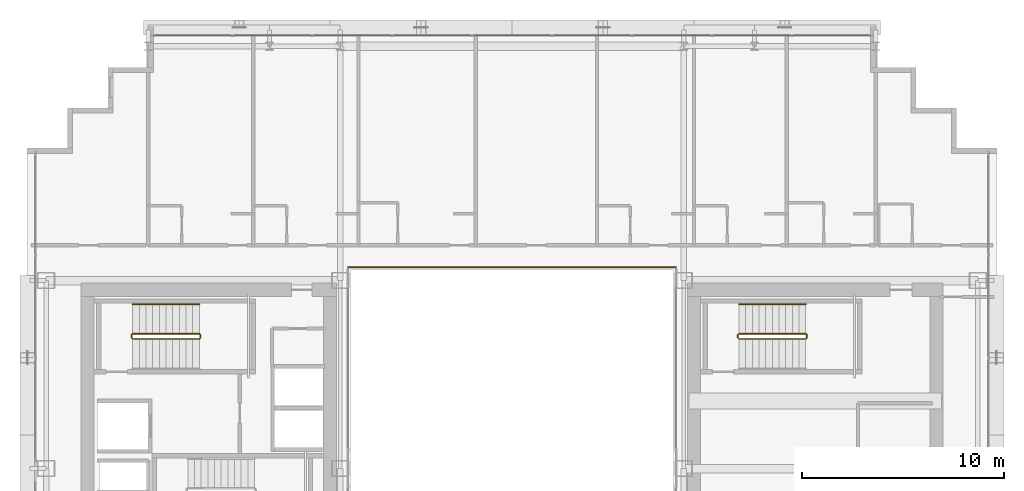
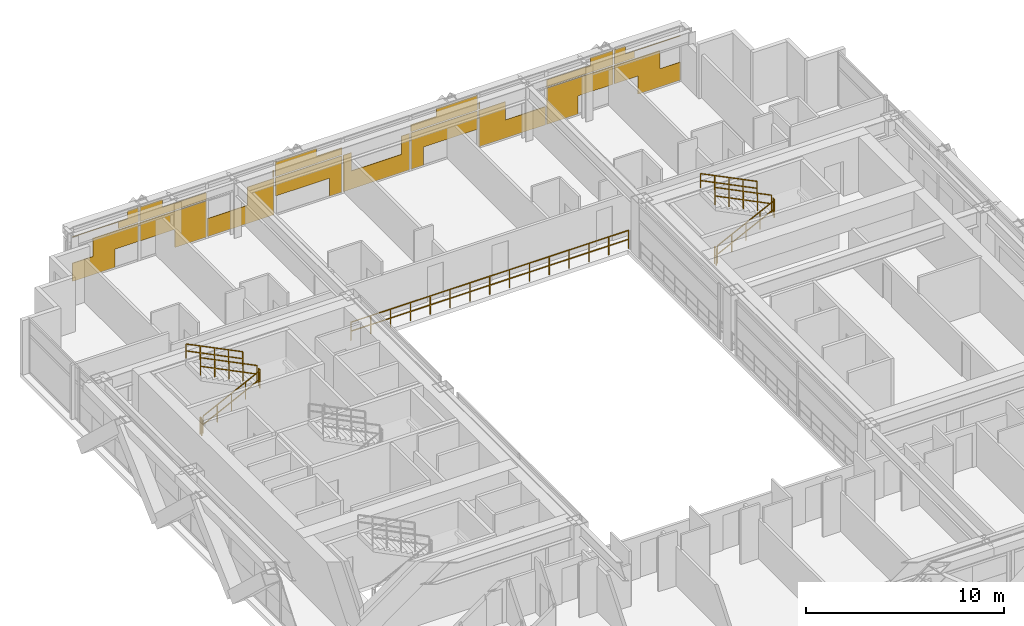
# One storey, part 39 of 39: 11 railings, 1 covering.
"""IFC4 building model written with IfcOpenShell, lengths in metres."""

from ifc_helpers import new_model, si_unit, direction, frame, origin, origin_2d, place, context, subcontext, project, spatial, rectangle, extrude, material, layer, layer_set, type_object, element, save


model = new_model("IFC4")

# Units and contexts
model_context = context("Model", 3, precision=1e-05, world=origin(), true_north=direction((0.0, 1.0)))
body_context = subcontext(model_context, "Body", "Model", "MODEL_VIEW")
ifc_project = project(units=[si_unit("LENGTHUNIT", "METRE"), si_unit("AREAUNIT", "SQUARE_METRE"), si_unit("VOLUMEUNIT", "CUBIC_METRE"), si_unit("PLANEANGLEUNIT", "RADIAN"), si_unit("MASSUNIT", "GRAM", prefix="KILO")], contexts=[model_context])

# Site, building, storey
site_placement = place(None, origin())
site = spatial("IfcSite", under=ifc_project, at=site_placement, CompositionType="ELEMENT")
building_placement = place(site_placement, origin())
building = spatial("IfcBuilding", under=site, at=building_placement, Name="Ocotamira Hotel", CompositionType="ELEMENT")
storey_placement = place(building_placement, frame((0.0, 0.0, 104.39990234375)))
storey = spatial("IfcBuildingStorey", under=building, at=storey_placement, Name="L25", CompositionType="ELEMENT", Elevation=104.39990234375)

# Covering
ifc_material_1 = material(Name="Insulated pale-metal aluminium spandrel panel", Category="aluminium")
ifc_layer = layer(ifc_material_1, 0.044921875)
ifc_layer_set = layer_set([ifc_layer], Name="Insulated pale-metal aluminium spandrel panel")
covering_type = type_object("IfcCoveringType", Name="COV-INFILL-45", PredefinedType="CLADDING", material=ifc_layer_set)
covering_placement = place(storey_placement, origin())
element("IfcCovering", 1, at=covering_placement, inside=storey, type_object=covering_type, Name="L25 Curtain Wall Infill CW-3 CW-L25-N", PredefinedType="CLADDING", context=body_context, shape_type="SweptSolid", body=[
    extrude(rectangle(XDim=2.464111328125, YDim=0.044921875, at=origin_2d()), frame((15.512451171875, 49.580078125, 0.07568359375), z_axis=(0.0, 0.0, 1.0), x_axis=(1.0, 0.0, 0.0)), (0.0, 0.0, 1.0), 1.117919921875),
    extrude(rectangle(XDim=2.650146484375, YDim=0.044921875, at=origin_2d()), frame((16.7900390625, 49.580078125, 1.1943359375), z_axis=(0.0, 0.0, 1.0), x_axis=(1.0, 0.0, 0.0)), (0.0, 0.0, 1.0), 1.117919921875),
    extrude(rectangle(XDim=3.834716796875, YDim=0.044921875, at=origin_2d()), frame((16.19775390625, 49.580078125, 2.78271484375), z_axis=(0.0, 0.0, 1.0), x_axis=(1.0, 0.0, 0.0)), (0.0, 0.0, 1.0), 0.0302734375),
    extrude(rectangle(XDim=1.157958984375, YDim=0.044921875, at=origin_2d()), frame((17.5361328125, 49.580078125, 2.38818359375), z_axis=(0.0, 0.0, 1.0), x_axis=(1.0, 0.0, 0.0)), (0.0, 0.0, 1.0), 0.3935546875),
    extrude(rectangle(XDim=0.625732421875, YDim=0.044921875, at=origin_2d()), frame((17.80224609375, 49.580078125, 2.81396484375), z_axis=(0.0, 0.0, 1.0), x_axis=(1.0, 0.0, 0.0)), (0.0, 0.0, 1.0), 0.470703125),
    extrude(rectangle(XDim=3.87451171875, YDim=0.044921875, at=origin_2d()), frame((20.13330078125, 49.580078125, 1.1943359375), z_axis=(0.0, 0.0, 1.0), x_axis=(1.0, 0.0, 0.0)), (0.0, 0.0, 1.0), 1.117919921875),
    extrude(rectangle(XDim=1.815185546875, YDim=0.044921875, at=origin_2d()), frame((21.1630859375, 49.580078125, 0.07568359375), z_axis=(0.0, 0.0, 1.0), x_axis=(1.0, 0.0, 0.0)), (0.0, 0.0, 1.0), 1.117919921875),
    extrude(rectangle(XDim=3.87451171875, YDim=0.044921875, at=origin_2d()), frame((20.13330078125, 49.580078125, 2.38818359375), z_axis=(0.0, 0.0, 1.0), x_axis=(1.0, 0.0, 0.0)), (0.0, 0.0, 1.0), 0.4248046875),
    extrude(rectangle(XDim=1.314697265625, YDim=0.044921875, at=origin_2d()), frame((18.853515625, 49.580078125, 2.81396484375), z_axis=(0.0, 0.0, 1.0), x_axis=(1.0, 0.0, 0.0)), (0.0, 0.0, 1.0), 0.470703125),
    extrude(rectangle(XDim=3.87451171875, YDim=0.044921875, at=origin_2d()), frame((24.0888671875, 49.580078125, 0.07568359375), z_axis=(0.0, 0.0, 1.0), x_axis=(1.0, 0.0, 0.0)), (0.0, 0.0, 1.0), 1.117919921875),
    extrude(rectangle(XDim=1.561279296875, YDim=0.044921875, at=origin_2d()), frame((25.24560546875, 49.580078125, 1.1943359375), z_axis=(0.0, 0.0, 1.0), x_axis=(1.0, 0.0, 0.0)), (0.0, 0.0, 1.0), 1.117919921875),
    extrude(rectangle(XDim=0.069091796875, YDim=0.044921875, at=origin_2d()), frame((25.99169921875, 49.580078125, 2.38818359375), z_axis=(0.0, 0.0, 1.0), x_axis=(1.0, 0.0, 0.0)), (0.0, 0.0, 1.0), 0.4248046875),
    extrude(rectangle(XDim=3.87451171875, YDim=0.044921875, at=origin_2d()), frame((28.04443359375, 49.580078125, 1.1943359375), z_axis=(0.0, 0.0, 1.0), x_axis=(1.0, 0.0, 0.0)), (0.0, 0.0, 1.0), 1.117919921875),
    extrude(rectangle(XDim=0.726318359375, YDim=0.044921875, at=origin_2d()), frame((29.61865234375, 49.580078125, 0.07568359375), z_axis=(0.0, 0.0, 1.0), x_axis=(1.0, 0.0, 0.0)), (0.0, 0.0, 1.0), 1.117919921875),
    extrude(rectangle(XDim=3.87451171875, YDim=0.044921875, at=origin_2d()), frame((28.04443359375, 49.580078125, 2.38818359375), z_axis=(0.0, 0.0, 1.0), x_axis=(1.0, 0.0, 0.0)), (0.0, 0.0, 1.0), 0.4248046875),
    extrude(rectangle(XDim=2.403564453125, YDim=0.044921875, at=origin_2d()), frame((27.308837890625, 49.580078125, 2.81396484375), z_axis=(0.0, 0.0, 1.0), x_axis=(1.0, 0.0, 0.0)), (0.0, 0.0, 1.0), 0.470703125),
    extrude(rectangle(XDim=3.87451171875, YDim=0.044921875, at=origin_2d()), frame((32.0, 49.580078125, 0.07568359375), z_axis=(0.0, 0.0, 1.0), x_axis=(1.0, 0.0, 0.0)), (0.0, 0.0, 1.0), 1.117919921875),
    extrude(rectangle(XDim=0.472412109375, YDim=0.044921875, at=origin_2d()), frame((30.298828125, 49.580078125, 1.1943359375), z_axis=(0.0, 0.0, 1.0), x_axis=(1.0, 0.0, 0.0)), (0.0, 0.0, 1.0), 1.117919921875),
    extrude(rectangle(XDim=0.472412109375, YDim=0.044921875, at=origin_2d()), frame((33.701171875, 49.580078125, 1.1943359375), z_axis=(0.0, 0.0, 1.0), x_axis=(1.0, 0.0, 0.0)), (0.0, 0.0, 1.0), 1.117919921875),
    extrude(rectangle(XDim=0.726318359375, YDim=0.044921875, at=origin_2d()), frame((34.38134765625, 49.580078125, 0.07568359375), z_axis=(0.0, 0.0, 1.0), x_axis=(1.0, 0.0, 0.0)), (0.0, 0.0, 1.0), 1.117919921875),
    extrude(rectangle(XDim=3.87451171875, YDim=0.044921875, at=origin_2d()), frame((35.95556640625, 49.580078125, 1.1943359375), z_axis=(0.0, 0.0, 1.0), x_axis=(1.0, 0.0, 0.0)), (0.0, 0.0, 1.0), 1.117919921875),
    extrude(rectangle(XDim=3.87451171875, YDim=0.044921875, at=origin_2d()), frame((35.95556640625, 49.580078125, 2.38818359375), z_axis=(0.0, 0.0, 1.0), x_axis=(1.0, 0.0, 0.0)), (0.0, 0.0, 1.0), 0.4248046875),
    extrude(rectangle(XDim=2.403564453125, YDim=0.044921875, at=origin_2d()), frame((36.691162109375, 49.580078125, 2.81396484375), z_axis=(0.0, 0.0, 1.0), x_axis=(1.0, 0.0, 0.0)), (0.0, 0.0, 1.0), 0.470703125),
    extrude(rectangle(XDim=3.87451171875, YDim=0.044921875, at=origin_2d()), frame((39.9111328125, 49.580078125, 0.07568359375), z_axis=(0.0, 0.0, 1.0), x_axis=(1.0, 0.0, 0.0)), (0.0, 0.0, 1.0), 1.117919921875),
    extrude(rectangle(XDim=1.561279296875, YDim=0.044921875, at=origin_2d()), frame((38.75439453125, 49.580078125, 1.1943359375), z_axis=(0.0, 0.0, 1.0), x_axis=(1.0, 0.0, 0.0)), (0.0, 0.0, 1.0), 1.117919921875),
    extrude(rectangle(XDim=0.069091796875, YDim=0.044921875, at=origin_2d()), frame((38.00830078125, 49.580078125, 2.38818359375), z_axis=(0.0, 0.0, 1.0), x_axis=(1.0, 0.0, 0.0)), (0.0, 0.0, 1.0), 0.4248046875),
    extrude(rectangle(XDim=1.815185546875, YDim=0.044921875, at=origin_2d()), frame((42.8369140625, 49.580078125, 0.07568359375), z_axis=(0.0, 0.0, 1.0), x_axis=(1.0, 0.0, 0.0)), (0.0, 0.0, 1.0), 1.117919921875),
    extrude(rectangle(XDim=3.87451171875, YDim=0.044921875, at=origin_2d()), frame((43.86669921875, 49.580078125, 1.1943359375), z_axis=(0.0, 0.0, 1.0), x_axis=(1.0, 0.0, 0.0)), (0.0, 0.0, 1.0), 1.117919921875),
    extrude(rectangle(XDim=3.87451171875, YDim=0.044921875, at=origin_2d()), frame((43.86669921875, 49.580078125, 2.38818359375), z_axis=(0.0, 0.0, 1.0), x_axis=(1.0, 0.0, 0.0)), (0.0, 0.0, 1.0), 0.4248046875),
    extrude(rectangle(XDim=1.314697265625, YDim=0.044921875, at=origin_2d()), frame((45.146484375, 49.580078125, 2.81396484375), z_axis=(0.0, 0.0, 1.0), x_axis=(1.0, 0.0, 0.0)), (0.0, 0.0, 1.0), 0.470703125),
    extrude(rectangle(XDim=2.650146484375, YDim=0.044921875, at=origin_2d()), frame((47.2099609375, 49.580078125, 1.1943359375), z_axis=(0.0, 0.0, 1.0), x_axis=(1.0, 0.0, 0.0)), (0.0, 0.0, 1.0), 1.117919921875),
    extrude(rectangle(XDim=2.464111328125, YDim=0.044921875, at=origin_2d()), frame((48.487548828125, 49.580078125, 0.07568359375), z_axis=(0.0, 0.0, 1.0), x_axis=(1.0, 0.0, 0.0)), (0.0, 0.0, 1.0), 1.117919921875),
    extrude(rectangle(XDim=1.157958984375, YDim=0.044921875, at=origin_2d()), frame((46.4638671875, 49.580078125, 2.38818359375), z_axis=(0.0, 0.0, 1.0), x_axis=(1.0, 0.0, 0.0)), (0.0, 0.0, 1.0), 0.3935546875),
    extrude(rectangle(XDim=3.834716796875, YDim=0.044921875, at=origin_2d()), frame((47.80224609375, 49.580078125, 2.78271484375), z_axis=(0.0, 0.0, 1.0), x_axis=(1.0, 0.0, 0.0)), (0.0, 0.0, 1.0), 0.0302734375),
    extrude(rectangle(XDim=0.625732421875, YDim=0.044921875, at=origin_2d()), frame((46.19775390625, 49.580078125, 2.81396484375), z_axis=(0.0, 0.0, 1.0), x_axis=(1.0, 0.0, 0.0)), (0.0, 0.0, 1.0), 0.470703125),
])

# Railings
ifc_material_2 = material(Name="Painted steel stair guardrail", Category="steel")
railing_type_1 = type_object("IfcRailingType", Name="RL-EDGE-1150", PredefinedType="GUARDRAIL", material=ifc_material_2)
railing_1_placement = place(storey_placement, frame((40.10009765625, 38.1201171875, 0.0)))
element("IfcRailing", 2, at=railing_1_placement, inside=storey, type_object=railing_type_1, Name="L25 Central Atrium Edge Guardrail N", PredefinedType="GUARDRAIL", context=body_context, shape_type="SweptSolid", body=[
    extrude(rectangle(XDim=0.048095703125, YDim=0.048095703125, at=origin_2d()), frame((0.0, 0.0, 1.1259765625), z_axis=(-1.0, 0.0, 0.0), x_axis=(0.0, -1.0, 0.0)), (0.0, 0.0, 1.0), 16.2001953125),
    extrude(rectangle(XDim=0.048095703125, YDim=0.048095703125, at=origin_2d()), frame((0.0, 0.0, 0.574951171875), z_axis=(-1.0, 0.0, 0.0), x_axis=(0.0, -1.0, 0.0)), (0.0, 0.0, 1.0), 16.2001953125),
    extrude(rectangle(XDim=0.0419921875, YDim=0.0419921875, at=origin_2d()), origin(), (0.0, 0.0, 1.0), 1.101806640625),
    extrude(rectangle(XDim=0.0419921875, YDim=0.0419921875, at=origin_2d()), frame((-1.1572265625, 0.0, 0.0)), (0.0, 0.0, 1.0), 1.101806640625),
    extrude(rectangle(XDim=0.0419921875, YDim=0.0419921875, at=origin_2d()), frame((-2.314208984375, 0.0, 0.0)), (0.0, 0.0, 1.0), 1.101806640625),
    extrude(rectangle(XDim=0.0419921875, YDim=0.0419921875, at=origin_2d()), frame((-3.471435546875, 0.0, 0.0)), (0.0, 0.0, 1.0), 1.101806640625),
    extrude(rectangle(XDim=0.0419921875, YDim=0.0419921875, at=origin_2d()), frame((-4.628662109375, 0.0, 0.0)), (0.0, 0.0, 1.0), 1.101806640625),
    extrude(rectangle(XDim=0.0419921875, YDim=0.0419921875, at=origin_2d()), frame((-5.785888671875, 0.0, 0.0)), (0.0, 0.0, 1.0), 1.101806640625),
    extrude(rectangle(XDim=0.0419921875, YDim=0.0419921875, at=origin_2d()), frame((-6.94287109375, 0.0, 0.0)), (0.0, 0.0, 1.0), 1.101806640625),
    extrude(rectangle(XDim=0.0419921875, YDim=0.0419921875, at=origin_2d()), frame((-8.10009765625, 0.0, 0.0)), (0.0, 0.0, 1.0), 1.101806640625),
    extrude(rectangle(XDim=0.0419921875, YDim=0.0419921875, at=origin_2d()), frame((-9.25732421875, 0.0, 0.0)), (0.0, 0.0, 1.0), 1.101806640625),
    extrude(rectangle(XDim=0.0419921875, YDim=0.0419921875, at=origin_2d()), frame((-10.414306640625, 0.0, 0.0)), (0.0, 0.0, 1.0), 1.101806640625),
    extrude(rectangle(XDim=0.0419921875, YDim=0.0419921875, at=origin_2d()), frame((-11.571533203125, 0.0, 0.0)), (0.0, 0.0, 1.0), 1.101806640625),
    extrude(rectangle(XDim=0.0419921875, YDim=0.0419921875, at=origin_2d()), frame((-12.728759765625, 0.0, 0.0)), (0.0, 0.0, 1.0), 1.101806640625),
    extrude(rectangle(XDim=0.0419921875, YDim=0.0419921875, at=origin_2d()), frame((-13.885986328125, 0.0, 0.0)), (0.0, 0.0, 1.0), 1.101806640625),
    extrude(rectangle(XDim=0.0419921875, YDim=0.0419921875, at=origin_2d()), frame((-15.04296875, 0.0, 0.0)), (0.0, 0.0, 1.0), 1.101806640625),
    extrude(rectangle(XDim=0.0419921875, YDim=0.0419921875, at=origin_2d()), frame((-16.2001953125, 0.0, 0.0)), (0.0, 0.0, 1.0), 1.101806640625),
])
ifc_material_3 = material(Name="Brushed stainless steel handrail", Category="steel")
railing_type_2 = type_object("IfcRailingType", Name="RL-HAND-900", PredefinedType="HANDRAIL", material=ifc_material_3)
for number, where, name in (
    (3, (16.530029296875, 36.280029296875, 2.12744140625), "L25 ST-2 stair handrail 2"),
    (4, (46.530029296875, 36.280029296875, 2.12744140625), "L25 ST-4 stair handrail 2"),
):
    element("IfcRailing", number, at=place(storey_placement, frame(where)), inside=storey, type_object=railing_type_2, Name=name, PredefinedType="HANDRAIL", context=body_context, shape_type="SweptSolid", body=[
        extrude(rectangle(XDim=0.048095703125, YDim=0.048095703125, at=origin_2d()), frame((0.0, 0.0, 0.8759765625), z_axis=(-0.895920123917, 0.0, 0.444215186098), x_axis=(0.0, -1.0, 0.0)), (0.0, 0.0, 1.0), 3.683349609375),
        extrude(rectangle(XDim=0.048095703125, YDim=0.048095703125, at=origin_2d()), frame((0.0, 0.0, 0.449951171875), z_axis=(-0.895920123917, 0.0, 0.444215186098), x_axis=(0.0, -1.0, 0.0)), (0.0, 0.0, 1.0), 3.683349609375),
        extrude(rectangle(XDim=0.0419921875, YDim=0.0419921875, at=origin_2d()), origin(), (0.0, 0.0, 1.0), 0.851806640625),
        extrude(rectangle(XDim=0.0419921875, YDim=0.0419921875, at=origin_2d()), frame((-0.824951171875, 0.0, 0.4091796875)), (0.0, 0.0, 1.0), 0.851806640625),
        extrude(rectangle(XDim=0.0419921875, YDim=0.0419921875, at=origin_2d()), frame((-1.64990234375, 0.0, 0.818115234375)), (0.0, 0.0, 1.0), 0.851806640625),
        extrude(rectangle(XDim=0.0419921875, YDim=0.0419921875, at=origin_2d()), frame((-2.47509765625, 0.0, 1.22705078125)), (0.0, 0.0, 1.0), 0.851806640625),
        extrude(rectangle(XDim=0.0419921875, YDim=0.0419921875, at=origin_2d()), frame((-3.300048828125, 0.0, 1.63623046875)), (0.0, 0.0, 1.0), 0.851806640625),
    ])
railing_type_3 = type_object("IfcRailingType", Name="RL-STAIR-1100", PredefinedType="GUARDRAIL", material=ifc_material_2)
railing_2_placement = place(storey_placement, frame((13.22998046875, 34.56005859375, 0.163818359375)))
element("IfcRailing", 5, at=railing_2_placement, inside=storey, type_object=railing_type_3, Name="L25 ST-2 stair guard 1", PredefinedType="GUARDRAIL", context=body_context, shape_type="SweptSolid", body=[
    extrude(rectangle(XDim=0.048095703125, YDim=0.048095703125, at=origin_2d()), frame((0.0, 0.0, 1.076171875), z_axis=(0.895920123917, 0.0, 0.444215186098), x_axis=(0.0, 1.0, 0.0)), (0.0, 0.0, 1.0), 3.683349609375),
    extrude(rectangle(XDim=0.048095703125, YDim=0.048095703125, at=origin_2d()), frame((0.0, 0.0, 0.550048828125), z_axis=(0.895920123917, 0.0, 0.444215186098), x_axis=(0.0, 1.0, 0.0)), (0.0, 0.0, 1.0), 3.683349609375),
    extrude(rectangle(XDim=0.0419921875, YDim=0.0419921875, at=origin_2d()), origin(), (0.0, 0.0, 1.0), 1.052001953125),
    extrude(rectangle(XDim=0.0419921875, YDim=0.0419921875, at=origin_2d()), frame((0.824951171875, 0.0, 0.4091796875)), (0.0, 0.0, 1.0), 1.052001953125),
    extrude(rectangle(XDim=0.0419921875, YDim=0.0419921875, at=origin_2d()), frame((1.64990234375, 0.0, 0.818115234375)), (0.0, 0.0, 1.0), 1.052001953125),
    extrude(rectangle(XDim=0.0419921875, YDim=0.0419921875, at=origin_2d()), frame((2.47509765625, 0.0, 1.22705078125)), (0.0, 0.0, 1.0), 1.052001953125),
    extrude(rectangle(XDim=0.0419921875, YDim=0.0419921875, at=origin_2d()), frame((3.300048828125, 0.0, 1.63623046875)), (0.0, 0.0, 1.0), 1.052001953125),
])
railing_3_placement = place(storey_placement, frame((16.580078125, 34.610107421875, 1.800048828125)))
element("IfcRailing", 6, at=railing_3_placement, inside=storey, type_object=railing_type_3, Name="L25 ST-2 stair guard 2", PredefinedType="GUARDRAIL", context=body_context, shape_type="SweptSolid", body=[
    extrude(rectangle(XDim=0.048095703125, YDim=0.048095703125, at=origin_2d()), frame((0.0, 0.0, 1.076171875), z_axis=(0.0, 1.0, 0.0), x_axis=(-1.0, 0.0, 0.0)), (0.0, 0.0, 1.0), 0.159912109375),
    extrude(rectangle(XDim=0.048095703125, YDim=0.048095703125, at=origin_2d()), frame((0.0, 0.0, 0.550048828125), z_axis=(0.0, 1.0, 0.0), x_axis=(-1.0, 0.0, 0.0)), (0.0, 0.0, 1.0), 0.159912109375),
    extrude(rectangle(XDim=0.0419921875, YDim=0.0419921875, at=origin_2d()), origin(), (0.0, 0.0, 1.0), 1.052001953125),
    extrude(rectangle(XDim=0.0419921875, YDim=0.0419921875, at=origin_2d()), frame((0.0, 0.159912109375, 0.0)), (0.0, 0.0, 1.0), 1.052001953125),
])
railing_4_placement = place(storey_placement, frame((16.530029296875, 34.820068359375, 1.963623046875)))
element("IfcRailing", 7, at=railing_4_placement, inside=storey, type_object=railing_type_3, Name="L25 ST-2 stair guard 3", PredefinedType="GUARDRAIL", context=body_context, shape_type="SweptSolid", body=[
    extrude(rectangle(XDim=0.048095703125, YDim=0.048095703125, at=origin_2d()), frame((0.0, 0.0, 1.076171875), z_axis=(-0.895893744519, 0.0, 0.4442683857), x_axis=(0.0, -1.0, 0.0)), (0.0, 0.0, 1.0), 3.68359375),
    extrude(rectangle(XDim=0.048095703125, YDim=0.048095703125, at=origin_2d()), frame((0.0, 0.0, 0.550048828125), z_axis=(-0.895893744519, 0.0, 0.4442683857), x_axis=(0.0, -1.0, 0.0)), (0.0, 0.0, 1.0), 3.68359375),
    extrude(rectangle(XDim=0.0419921875, YDim=0.0419921875, at=origin_2d()), origin(), (0.0, 0.0, 1.0), 1.052001953125),
    extrude(rectangle(XDim=0.0419921875, YDim=0.0419921875, at=origin_2d()), frame((-0.824951171875, 0.0, 0.4091796875)), (0.0, 0.0, 1.0), 1.052001953125),
    extrude(rectangle(XDim=0.0419921875, YDim=0.0419921875, at=origin_2d()), frame((-1.64990234375, 0.0, 0.818359375)), (0.0, 0.0, 1.0), 1.052001953125),
    extrude(rectangle(XDim=0.0419921875, YDim=0.0419921875, at=origin_2d()), frame((-2.47509765625, 0.0, 1.227294921875)), (0.0, 0.0, 1.0), 1.052001953125),
    extrude(rectangle(XDim=0.0419921875, YDim=0.0419921875, at=origin_2d()), frame((-3.300048828125, 0.0, 1.636474609375)), (0.0, 0.0, 1.0), 1.052001953125),
])
railing_5_placement = place(storey_placement, frame((13.179931640625, 34.610107421875, 0.0)))
element("IfcRailing", 8, at=railing_5_placement, inside=storey, type_object=railing_type_3, Name="L25 ST-2 stair guard 4", PredefinedType="GUARDRAIL", context=body_context, shape_type="SweptSolid", body=[
    extrude(rectangle(XDim=0.048095703125, YDim=0.048095703125, at=origin_2d()), frame((0.0, 0.0, 1.076171875), z_axis=(0.0, 1.0, 0.0), x_axis=(-1.0, 0.0, 0.0)), (0.0, 0.0, 1.0), 0.159912109375),
    extrude(rectangle(XDim=0.048095703125, YDim=0.048095703125, at=origin_2d()), frame((0.0, 0.0, 0.550048828125), z_axis=(0.0, 1.0, 0.0), x_axis=(-1.0, 0.0, 0.0)), (0.0, 0.0, 1.0), 0.159912109375),
    extrude(rectangle(XDim=0.0419921875, YDim=0.0419921875, at=origin_2d()), origin(), (0.0, 0.0, 1.0), 1.052001953125),
    extrude(rectangle(XDim=0.0419921875, YDim=0.0419921875, at=origin_2d()), frame((0.0, 0.159912109375, 0.0)), (0.0, 0.0, 1.0), 1.052001953125),
])
railing_6_placement = place(storey_placement, frame((43.22998046875, 34.56005859375, 0.163818359375)))
element("IfcRailing", 9, at=railing_6_placement, inside=storey, type_object=railing_type_3, Name="L25 ST-4 stair guard 1", PredefinedType="GUARDRAIL", context=body_context, shape_type="SweptSolid", body=[
    extrude(rectangle(XDim=0.048095703125, YDim=0.048095703125, at=origin_2d()), frame((0.0, 0.0, 1.076171875), z_axis=(0.895920123917, 0.0, 0.444215186098), x_axis=(0.0, 1.0, 0.0)), (0.0, 0.0, 1.0), 3.683349609375),
    extrude(rectangle(XDim=0.048095703125, YDim=0.048095703125, at=origin_2d()), frame((0.0, 0.0, 0.550048828125), z_axis=(0.895920123917, 0.0, 0.444215186098), x_axis=(0.0, 1.0, 0.0)), (0.0, 0.0, 1.0), 3.683349609375),
    extrude(rectangle(XDim=0.0419921875, YDim=0.0419921875, at=origin_2d()), origin(), (0.0, 0.0, 1.0), 1.052001953125),
    extrude(rectangle(XDim=0.0419921875, YDim=0.0419921875, at=origin_2d()), frame((0.824951171875, 0.0, 0.4091796875)), (0.0, 0.0, 1.0), 1.052001953125),
    extrude(rectangle(XDim=0.0419921875, YDim=0.0419921875, at=origin_2d()), frame((1.64990234375, 0.0, 0.818115234375)), (0.0, 0.0, 1.0), 1.052001953125),
    extrude(rectangle(XDim=0.0419921875, YDim=0.0419921875, at=origin_2d()), frame((2.47509765625, 0.0, 1.22705078125)), (0.0, 0.0, 1.0), 1.052001953125),
    extrude(rectangle(XDim=0.0419921875, YDim=0.0419921875, at=origin_2d()), frame((3.300048828125, 0.0, 1.63623046875)), (0.0, 0.0, 1.0), 1.052001953125),
])
railing_7_placement = place(storey_placement, frame((46.580078125, 34.610107421875, 1.800048828125)))
element("IfcRailing", 10, at=railing_7_placement, inside=storey, type_object=railing_type_3, Name="L25 ST-4 stair guard 2", PredefinedType="GUARDRAIL", context=body_context, shape_type="SweptSolid", body=[
    extrude(rectangle(XDim=0.048095703125, YDim=0.048095703125, at=origin_2d()), frame((0.0, 0.0, 1.076171875), z_axis=(0.0, 1.0, 0.0), x_axis=(-1.0, 0.0, 0.0)), (0.0, 0.0, 1.0), 0.159912109375),
    extrude(rectangle(XDim=0.048095703125, YDim=0.048095703125, at=origin_2d()), frame((0.0, 0.0, 0.550048828125), z_axis=(0.0, 1.0, 0.0), x_axis=(-1.0, 0.0, 0.0)), (0.0, 0.0, 1.0), 0.159912109375),
    extrude(rectangle(XDim=0.0419921875, YDim=0.0419921875, at=origin_2d()), origin(), (0.0, 0.0, 1.0), 1.052001953125),
    extrude(rectangle(XDim=0.0419921875, YDim=0.0419921875, at=origin_2d()), frame((0.0, 0.159912109375, 0.0)), (0.0, 0.0, 1.0), 1.052001953125),
])
railing_8_placement = place(storey_placement, frame((46.530029296875, 34.820068359375, 1.963623046875)))
element("IfcRailing", 11, at=railing_8_placement, inside=storey, type_object=railing_type_3, Name="L25 ST-4 stair guard 3", PredefinedType="GUARDRAIL", context=body_context, shape_type="SweptSolid", body=[
    extrude(rectangle(XDim=0.048095703125, YDim=0.048095703125, at=origin_2d()), frame((0.0, 0.0, 1.076171875), z_axis=(-0.895893744519, 0.0, 0.4442683857), x_axis=(0.0, -1.0, 0.0)), (0.0, 0.0, 1.0), 3.68359375),
    extrude(rectangle(XDim=0.048095703125, YDim=0.048095703125, at=origin_2d()), frame((0.0, 0.0, 0.550048828125), z_axis=(-0.895893744519, 0.0, 0.4442683857), x_axis=(0.0, -1.0, 0.0)), (0.0, 0.0, 1.0), 3.68359375),
    extrude(rectangle(XDim=0.0419921875, YDim=0.0419921875, at=origin_2d()), origin(), (0.0, 0.0, 1.0), 1.052001953125),
    extrude(rectangle(XDim=0.0419921875, YDim=0.0419921875, at=origin_2d()), frame((-0.824951171875, 0.0, 0.4091796875)), (0.0, 0.0, 1.0), 1.052001953125),
    extrude(rectangle(XDim=0.0419921875, YDim=0.0419921875, at=origin_2d()), frame((-1.64990234375, 0.0, 0.818359375)), (0.0, 0.0, 1.0), 1.052001953125),
    extrude(rectangle(XDim=0.0419921875, YDim=0.0419921875, at=origin_2d()), frame((-2.47509765625, 0.0, 1.227294921875)), (0.0, 0.0, 1.0), 1.052001953125),
    extrude(rectangle(XDim=0.0419921875, YDim=0.0419921875, at=origin_2d()), frame((-3.300048828125, 0.0, 1.636474609375)), (0.0, 0.0, 1.0), 1.052001953125),
])
railing_9_placement = place(storey_placement, frame((43.179931640625, 34.610107421875, 0.0)))
element("IfcRailing", 12, at=railing_9_placement, inside=storey, type_object=railing_type_3, Name="L25 ST-4 stair guard 4", PredefinedType="GUARDRAIL", context=body_context, shape_type="SweptSolid", body=[
    extrude(rectangle(XDim=0.048095703125, YDim=0.048095703125, at=origin_2d()), frame((0.0, 0.0, 1.076171875), z_axis=(0.0, 1.0, 0.0), x_axis=(-1.0, 0.0, 0.0)), (0.0, 0.0, 1.0), 0.159912109375),
    extrude(rectangle(XDim=0.048095703125, YDim=0.048095703125, at=origin_2d()), frame((0.0, 0.0, 0.550048828125), z_axis=(0.0, 1.0, 0.0), x_axis=(-1.0, 0.0, 0.0)), (0.0, 0.0, 1.0), 0.159912109375),
    extrude(rectangle(XDim=0.0419921875, YDim=0.0419921875, at=origin_2d()), origin(), (0.0, 0.0, 1.0), 1.052001953125),
    extrude(rectangle(XDim=0.0419921875, YDim=0.0419921875, at=origin_2d()), frame((0.0, 0.159912109375, 0.0)), (0.0, 0.0, 1.0), 1.052001953125),
])

save(model, "model.ifc")
